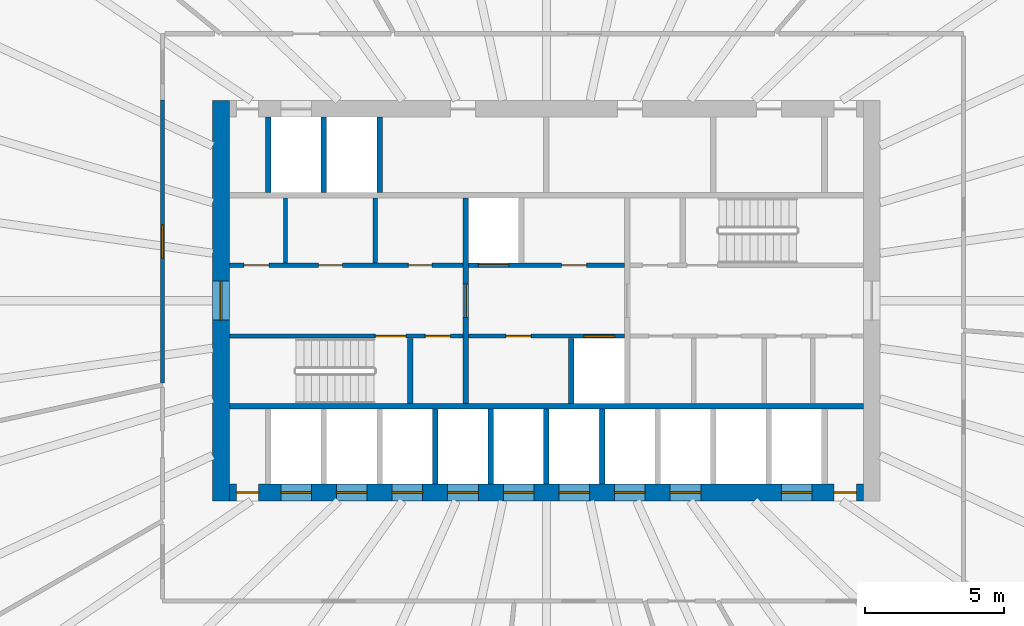
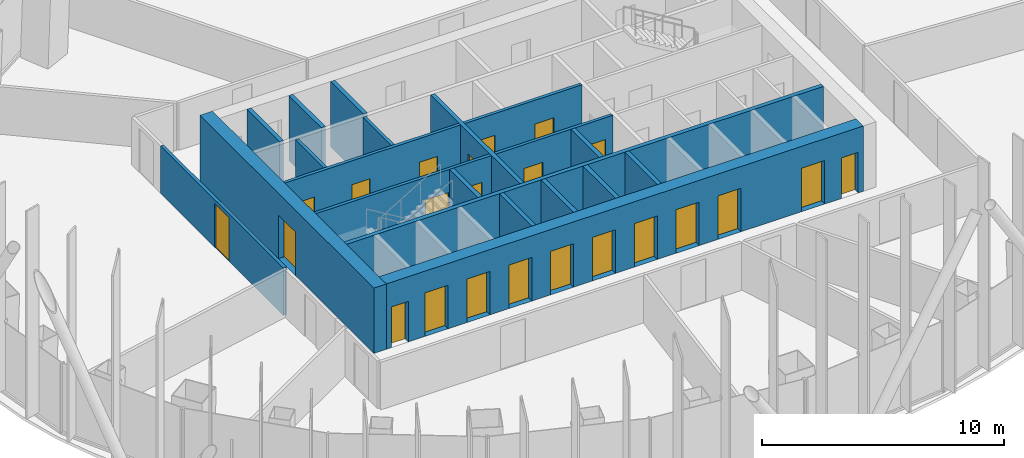
# One storey, part 7 of 21: 23 doors, 20 walls, 23 openings.
"""IFC4 building model written with IfcOpenShell, lengths in metres."""

from ifc_helpers import new_model, si_unit, direction, frame, frame_2d, origin, place, context, subcontext, project, spatial, rectangle, extrude, material, layer, layer_set, type_object, element, fill, save


model = new_model("IFC4")

# Units and contexts
model_context = context("Model", 3, precision=1e-05, world=origin(), true_north=direction((0.0, 1.0)))
body_context = subcontext(model_context, "Body", "Model", "MODEL_VIEW")
ifc_project = project(units=[si_unit("LENGTHUNIT", "METRE"), si_unit("AREAUNIT", "SQUARE_METRE"), si_unit("VOLUMEUNIT", "CUBIC_METRE"), si_unit("PLANEANGLEUNIT", "RADIAN"), si_unit("MASSUNIT", "GRAM", prefix="KILO")], contexts=[model_context])

# Site, building, storey
site_placement = place(None, origin())
site = spatial("IfcSite", under=ifc_project, at=site_placement, CompositionType="ELEMENT")
building_placement = place(site_placement, origin())
building = spatial("IfcBuilding", under=site, at=building_placement, Name="Siaravel Broadcast Tower", CompositionType="ELEMENT")
storey_placement = place(building_placement, frame((0.0, 0.0, 70.39990234375)))
storey = spatial("IfcBuildingStorey", under=building, at=storey_placement, Name="L16", CompositionType="ELEMENT", Elevation=70.39990234375)

# Walls
ifc_material_1 = material(Name="Concrete blockwork", Category="masonry")
ifc_layer_1 = layer(ifc_material_1, 0.14990234375)
ifc_layer_set_1 = layer_set([ifc_layer_1], Name="Concrete blockwork")
wall_type_1 = type_object("IfcWallType", Name="Core partition 150", PredefinedType="PARTITIONING", material=ifc_layer_set_1)
for number, where, z_axis, x_axis, name in (
    (1, (-9.381103515625, 1.35009765625, 0.0), (0.0, 0.0, 1.0), (0.0, 1.0, 0.0), "L16 core partition PNW0"),
    (2, (-6.153076171875, 1.35009765625, 0.0), (0.0, 0.0, 1.0), (0.0, 1.0, 0.0), "L16 core partition PNW1"),
):
    element("IfcWall", number, at=place(storey_placement, frame(where, z_axis=z_axis, x_axis=x_axis)), inside=storey, type_object=wall_type_1, Name=name, PredefinedType="PARTITIONING", context=body_context, shape_type="SweptSolid", body=[
        extrude(rectangle(XDim=2.349853515625, YDim=0.14990234375, at=frame_2d((1.1748046875, 0.0))), origin(), (0.0, 0.0, 1.0), 3.300048828125),
    ])

# Wall, opening, door
ifc_material_2 = material(Name="Concrete C60/75", Category="concrete")
ifc_layer_2 = layer(ifc_material_2, 0.60009765625)
ifc_layer_set_2 = layer_set([ifc_layer_2], Name="Concrete C60/75")
wall_type_2 = type_object("IfcWallType", Name="Core wall 600", PredefinedType="SHEAR", material=ifc_layer_set_2)
wall_1_placement = place(storey_placement, frame((-11.699951171875, -7.199951171875, 0.0), z_axis=(0.0, 0.0, 1.0), x_axis=(0.0, 1.0, 0.0)))
wall_1 = element("IfcWall", 3, at=wall_1_placement, inside=storey, type_object=wall_type_2, Name="L16 core wall OW", PredefinedType="SHEAR", context=body_context, shape_type="SweptSolid", body=[
    extrude(rectangle(XDim=14.39990234375, YDim=0.60009765625, at=frame_2d((7.199951171875, 0.0))), origin(), (0.0, 0.0, 1.0), 3.300048828125),
])
opening_1_placement = place(wall_1_placement, frame((6.5, 0.0, 0.0)))
opening_1 = element("IfcOpeningElement", 4, at=opening_1_placement, cuts=wall_1, Name="Opening L16-DX-W", PredefinedType="OPENING", context=body_context, shape_type="SweptSolid", body=[
    extrude(rectangle(XDim=1.39990234375, YDim=2.199951171875, at=frame_2d((0.699951171875, 1.10009765625))), frame((0.0, 0.31005859375, 0.0), z_axis=(0.0, -1.0, 0.0), x_axis=(1.0, 0.0, 0.0)), (0.0, 0.0, 1.0), 0.6201171875),
])
ifc_material_3 = material(Name="Steel", Category="steel")
door_type_1 = type_object("IfcDoorType", Name="Core exit door 1400", OperationType="DOUBLE_DOOR_SINGLE_SWING", PredefinedType="DOOR", material=ifc_material_3)
door_1_placement = place(opening_1_placement, origin())
door_1 = element("IfcDoor", 5, at=door_1_placement, inside=storey, type_object=door_type_1, Name="L16 door DX-W", OperationType="DOUBLE_DOOR_SINGLE_SWING", OverallHeight=2.199951171875, OverallWidth=1.39990234375, PredefinedType="DOOR", context=body_context, shape_type="SweptSolid", body=[
    extrude(rectangle(XDim=1.39990234375, YDim=2.199951171875, at=frame_2d((0.699951171875, 1.10009765625))), frame((0.0, 0.02490234375, 0.0), z_axis=(0.0, -1.0, 0.0), x_axis=(1.0, 0.0, 0.0)), (0.0, 0.0, 1.0), 0.050048828125),
])
fill(opening_1, door_1)

# Wall, openings, doors
wall_2_placement = place(storey_placement, frame((-11.39990234375, -6.89990234375, 0.0), z_axis=(0.0, 0.0, 1.0), x_axis=(1.0, 0.0, 0.0)))
wall_2 = element("IfcWall", 6, at=wall_2_placement, inside=storey, type_object=wall_type_2, Name="L16 core wall OS", PredefinedType="SHEAR", context=body_context, shape_type="SweptSolid", body=[
    extrude(rectangle(XDim=22.7998046875, YDim=0.60009765625, at=frame_2d((11.39990234375, 0.0))), origin(), (0.0, 0.0, 1.0), 3.300048828125),
])
opening_2_placement = place(wall_2_placement, frame((1.85009765625, 0.0, 0.0)))
opening_2 = element("IfcOpeningElement", 7, at=opening_2_placement, cuts=wall_2, Name="Opening LD-LP1-L16", PredefinedType="OPENING", context=body_context, shape_type="SweptSolid", body=[
    extrude(rectangle(XDim=1.10009765625, YDim=2.199951171875, at=frame_2d((0.550048828125, 1.10009765625))), frame((0.0, 0.31005859375, 0.0), z_axis=(0.0, -1.0, 0.0), x_axis=(1.0, 0.0, 0.0)), (0.0, 0.0, 1.0), 0.6201171875),
])
opening_3_placement = place(wall_2_placement, frame((3.85009765625, 0.0, 0.0)))
opening_3 = element("IfcOpeningElement", 8, at=opening_3_placement, cuts=wall_2, Name="Opening LD-LP2-L16", PredefinedType="OPENING", context=body_context, shape_type="SweptSolid", body=[
    extrude(rectangle(XDim=1.10009765625, YDim=2.199951171875, at=frame_2d((0.550048828125, 1.10009765625))), frame((0.0, 0.31005859375, 0.0), z_axis=(0.0, -1.0, 0.0), x_axis=(1.0, 0.0, 0.0)), (0.0, 0.0, 1.0), 0.6201171875),
])
opening_4_placement = place(wall_2_placement, frame((5.85009765625, 0.0, 0.0)))
opening_4 = element("IfcOpeningElement", 9, at=opening_4_placement, cuts=wall_2, Name="Opening LD-LP3-L16", PredefinedType="OPENING", context=body_context, shape_type="SweptSolid", body=[
    extrude(rectangle(XDim=1.10009765625, YDim=2.199951171875, at=frame_2d((0.550048828125, 1.10009765625))), frame((0.0, 0.31005859375, 0.0), z_axis=(0.0, -1.0, 0.0), x_axis=(1.0, 0.0, 0.0)), (0.0, 0.0, 1.0), 0.6201171875),
])
opening_5_placement = place(wall_2_placement, frame((7.85009765625, 0.0, 0.0)))
opening_5 = element("IfcOpeningElement", 10, at=opening_5_placement, cuts=wall_2, Name="Opening LD-LP4-L16", PredefinedType="OPENING", context=body_context, shape_type="SweptSolid", body=[
    extrude(rectangle(XDim=1.10009765625, YDim=2.199951171875, at=frame_2d((0.550048828125, 1.10009765625))), frame((0.0, 0.31005859375, 0.0), z_axis=(0.0, -1.0, 0.0), x_axis=(1.0, 0.0, 0.0)), (0.0, 0.0, 1.0), 0.6201171875),
])
opening_6_placement = place(wall_2_placement, frame((9.85009765625, 0.0, 0.0)))
opening_6 = element("IfcOpeningElement", 11, at=opening_6_placement, cuts=wall_2, Name="Opening LD-LP5-L16", PredefinedType="OPENING", context=body_context, shape_type="SweptSolid", body=[
    extrude(rectangle(XDim=1.10009765625, YDim=2.199951171875, at=frame_2d((0.550048828125, 1.10009765625))), frame((0.0, 0.31005859375, 0.0), z_axis=(0.0, -1.0, 0.0), x_axis=(1.0, 0.0, 0.0)), (0.0, 0.0, 1.0), 0.6201171875),
])
opening_7_placement = place(wall_2_placement, frame((11.85009765625, 0.0, 0.0)))
opening_7 = element("IfcOpeningElement", 12, at=opening_7_placement, cuts=wall_2, Name="Opening LD-LP6-L16", PredefinedType="OPENING", context=body_context, shape_type="SweptSolid", body=[
    extrude(rectangle(XDim=1.10009765625, YDim=2.199951171875, at=frame_2d((0.550048828125, 1.10009765625))), frame((0.0, 0.31005859375, 0.0), z_axis=(0.0, -1.0, 0.0), x_axis=(1.0, 0.0, 0.0)), (0.0, 0.0, 1.0), 0.6201171875),
])
opening_8_placement = place(wall_2_placement, frame((13.85009765625, 0.0, 0.0)))
opening_8 = element("IfcOpeningElement", 13, at=opening_8_placement, cuts=wall_2, Name="Opening LD-LP7-L16", PredefinedType="OPENING", context=body_context, shape_type="SweptSolid", body=[
    extrude(rectangle(XDim=1.10009765625, YDim=2.199951171875, at=frame_2d((0.550048828125, 1.10009765625))), frame((0.0, 0.31005859375, 0.0), z_axis=(0.0, -1.0, 0.0), x_axis=(1.0, 0.0, 0.0)), (0.0, 0.0, 1.0), 0.6201171875),
])
opening_9_placement = place(wall_2_placement, frame((15.85009765625, 0.0, 0.0)))
opening_9 = element("IfcOpeningElement", 14, at=opening_9_placement, cuts=wall_2, Name="Opening LD-LP8-L16", PredefinedType="OPENING", context=body_context, shape_type="SweptSolid", body=[
    extrude(rectangle(XDim=1.10009765625, YDim=2.199951171875, at=frame_2d((0.550048828125, 1.10009765625))), frame((0.0, 0.31005859375, 0.0), z_axis=(0.0, -1.0, 0.0), x_axis=(1.0, 0.0, 0.0)), (0.0, 0.0, 1.0), 0.6201171875),
])
opening_10_placement = place(wall_2_placement, frame((19.85009765625, 0.0, 0.0)))
opening_10 = element("IfcOpeningElement", 15, at=opening_10_placement, cuts=wall_2, Name="Opening LD-SV1-L16", PredefinedType="OPENING", context=body_context, shape_type="SweptSolid", body=[
    extrude(rectangle(XDim=1.10009765625, YDim=2.199951171875, at=frame_2d((0.550048828125, 1.10009765625))), frame((0.0, 0.31005859375, 0.0), z_axis=(0.0, -1.0, 0.0), x_axis=(1.0, 0.0, 0.0)), (0.0, 0.0, 1.0), 0.6201171875),
])
opening_11_placement = place(wall_2_placement, frame((0.25, 0.0, 0.0)))
opening_11 = element("IfcOpeningElement", 16, at=opening_11_placement, cuts=wall_2, Name="Opening L16-DRSW", PredefinedType="OPENING", context=body_context, shape_type="SweptSolid", body=[
    extrude(rectangle(XDim=0.800048828125, YDim=2.050048828125, at=frame_2d((0.39990234375, 1.02490234375))), frame((0.0, 0.31005859375, 0.0), z_axis=(0.0, -1.0, 0.0), x_axis=(1.0, 0.0, 0.0)), (0.0, 0.0, 1.0), 0.6201171875),
])
opening_12_placement = place(wall_2_placement, frame((21.75, 0.0, 0.0)))
opening_12 = element("IfcOpeningElement", 17, at=opening_12_placement, cuts=wall_2, Name="Opening L16-DRSE", PredefinedType="OPENING", context=body_context, shape_type="SweptSolid", body=[
    extrude(rectangle(XDim=0.800048828125, YDim=2.050048828125, at=frame_2d((0.39990234375, 1.02490234375))), frame((0.0, 0.31005859375, 0.0), z_axis=(0.0, -1.0, 0.0), x_axis=(1.0, 0.0, 0.0)), (0.0, 0.0, 1.0), 0.6201171875),
])
ifc_material_4 = material(Name="Stainless steel 316L", Category="steel")
door_type_2 = type_object("IfcDoorType", Name="Lift landing door 1100", OperationType="DOUBLE_DOOR_SLIDING", PredefinedType="DOOR", material=ifc_material_4)
door_2_placement = place(opening_2_placement, origin())
door_2 = element("IfcDoor", 18, at=door_2_placement, inside=storey, type_object=door_type_2, Name="Landing door LP1 L16", OperationType="DOUBLE_DOOR_SLIDING", OverallHeight=2.199951171875, OverallWidth=1.10009765625, PredefinedType="DOOR", context=body_context, shape_type="SweptSolid", body=[
    extrude(rectangle(XDim=1.10009765625, YDim=2.199951171875, at=frame_2d((0.550048828125, 1.10009765625))), frame((0.0, 0.02490234375, 0.0), z_axis=(0.0, -1.0, 0.0), x_axis=(1.0, 0.0, 0.0)), (0.0, 0.0, 1.0), 0.050048828125),
])
fill(opening_2, door_2)
door_3_placement = place(opening_3_placement, origin())
door_3 = element("IfcDoor", 19, at=door_3_placement, inside=storey, type_object=door_type_2, Name="Landing door LP2 L16", OperationType="DOUBLE_DOOR_SLIDING", OverallHeight=2.199951171875, OverallWidth=1.10009765625, PredefinedType="DOOR", context=body_context, shape_type="SweptSolid", body=[
    extrude(rectangle(XDim=1.10009765625, YDim=2.199951171875, at=frame_2d((0.550048828125, 1.10009765625))), frame((0.0, 0.02490234375, 0.0), z_axis=(0.0, -1.0, 0.0), x_axis=(1.0, 0.0, 0.0)), (0.0, 0.0, 1.0), 0.050048828125),
])
fill(opening_3, door_3)
door_4_placement = place(opening_4_placement, origin())
door_4 = element("IfcDoor", 20, at=door_4_placement, inside=storey, type_object=door_type_2, Name="Landing door LP3 L16", OperationType="DOUBLE_DOOR_SLIDING", OverallHeight=2.199951171875, OverallWidth=1.10009765625, PredefinedType="DOOR", context=body_context, shape_type="SweptSolid", body=[
    extrude(rectangle(XDim=1.10009765625, YDim=2.199951171875, at=frame_2d((0.550048828125, 1.10009765625))), frame((0.0, 0.02490234375, 0.0), z_axis=(0.0, -1.0, 0.0), x_axis=(1.0, 0.0, 0.0)), (0.0, 0.0, 1.0), 0.050048828125),
])
fill(opening_4, door_4)
door_5_placement = place(opening_5_placement, origin())
door_5 = element("IfcDoor", 21, at=door_5_placement, inside=storey, type_object=door_type_2, Name="Landing door LP4 L16", OperationType="DOUBLE_DOOR_SLIDING", OverallHeight=2.199951171875, OverallWidth=1.10009765625, PredefinedType="DOOR", context=body_context, shape_type="SweptSolid", body=[
    extrude(rectangle(XDim=1.10009765625, YDim=2.199951171875, at=frame_2d((0.550048828125, 1.10009765625))), frame((0.0, 0.02490234375, 0.0), z_axis=(0.0, -1.0, 0.0), x_axis=(1.0, 0.0, 0.0)), (0.0, 0.0, 1.0), 0.050048828125),
])
fill(opening_5, door_5)
door_6_placement = place(opening_6_placement, origin())
door_6 = element("IfcDoor", 22, at=door_6_placement, inside=storey, type_object=door_type_2, Name="Landing door LP5 L16", OperationType="DOUBLE_DOOR_SLIDING", OverallHeight=2.199951171875, OverallWidth=1.10009765625, PredefinedType="DOOR", context=body_context, shape_type="SweptSolid", body=[
    extrude(rectangle(XDim=1.10009765625, YDim=2.199951171875, at=frame_2d((0.550048828125, 1.10009765625))), frame((0.0, 0.02490234375, 0.0), z_axis=(0.0, -1.0, 0.0), x_axis=(1.0, 0.0, 0.0)), (0.0, 0.0, 1.0), 0.050048828125),
])
fill(opening_6, door_6)
door_7_placement = place(opening_7_placement, origin())
door_7 = element("IfcDoor", 23, at=door_7_placement, inside=storey, type_object=door_type_2, Name="Landing door LP6 L16", OperationType="DOUBLE_DOOR_SLIDING", OverallHeight=2.199951171875, OverallWidth=1.10009765625, PredefinedType="DOOR", context=body_context, shape_type="SweptSolid", body=[
    extrude(rectangle(XDim=1.10009765625, YDim=2.199951171875, at=frame_2d((0.550048828125, 1.10009765625))), frame((0.0, 0.02490234375, 0.0), z_axis=(0.0, -1.0, 0.0), x_axis=(1.0, 0.0, 0.0)), (0.0, 0.0, 1.0), 0.050048828125),
])
fill(opening_7, door_7)
door_8_placement = place(opening_8_placement, origin())
door_8 = element("IfcDoor", 24, at=door_8_placement, inside=storey, type_object=door_type_2, Name="Landing door LP7 L16", OperationType="DOUBLE_DOOR_SLIDING", OverallHeight=2.199951171875, OverallWidth=1.10009765625, PredefinedType="DOOR", context=body_context, shape_type="SweptSolid", body=[
    extrude(rectangle(XDim=1.10009765625, YDim=2.199951171875, at=frame_2d((0.550048828125, 1.10009765625))), frame((0.0, 0.02490234375, 0.0), z_axis=(0.0, -1.0, 0.0), x_axis=(1.0, 0.0, 0.0)), (0.0, 0.0, 1.0), 0.050048828125),
])
fill(opening_8, door_8)
door_9_placement = place(opening_9_placement, origin())
door_9 = element("IfcDoor", 25, at=door_9_placement, inside=storey, type_object=door_type_2, Name="Landing door LP8 L16", OperationType="DOUBLE_DOOR_SLIDING", OverallHeight=2.199951171875, OverallWidth=1.10009765625, PredefinedType="DOOR", context=body_context, shape_type="SweptSolid", body=[
    extrude(rectangle(XDim=1.10009765625, YDim=2.199951171875, at=frame_2d((0.550048828125, 1.10009765625))), frame((0.0, 0.02490234375, 0.0), z_axis=(0.0, -1.0, 0.0), x_axis=(1.0, 0.0, 0.0)), (0.0, 0.0, 1.0), 0.050048828125),
])
fill(opening_9, door_9)
door_type_3 = type_object("IfcDoorType", Name="Riser door 800", OperationType="SINGLE_SWING_LEFT", PredefinedType="DOOR", material=ifc_material_3)
door_10_placement = place(opening_11_placement, origin())
door_10 = element("IfcDoor", 26, at=door_10_placement, inside=storey, type_object=door_type_3, Name="L16 door DRSW", OperationType="SINGLE_SWING_LEFT", OverallHeight=2.050048828125, OverallWidth=0.800048828125, PredefinedType="DOOR", context=body_context, shape_type="SweptSolid", body=[
    extrude(rectangle(XDim=0.800048828125, YDim=2.050048828125, at=frame_2d((0.39990234375, 1.02490234375))), frame((0.0, 0.02490234375, 0.0), z_axis=(0.0, -1.0, 0.0), x_axis=(1.0, 0.0, 0.0)), (0.0, 0.0, 1.0), 0.050048828125),
])
fill(opening_11, door_10)
door_11_placement = place(opening_12_placement, origin())
door_11 = element("IfcDoor", 27, at=door_11_placement, inside=storey, type_object=door_type_3, Name="L16 door DRSE", OperationType="SINGLE_SWING_LEFT", OverallHeight=2.050048828125, OverallWidth=0.800048828125, PredefinedType="DOOR", context=body_context, shape_type="SweptSolid", body=[
    extrude(rectangle(XDim=0.800048828125, YDim=2.050048828125, at=frame_2d((0.39990234375, 1.02490234375))), frame((0.0, 0.02490234375, 0.0), z_axis=(0.0, -1.0, 0.0), x_axis=(1.0, 0.0, 0.0)), (0.0, 0.0, 1.0), 0.050048828125),
])
fill(opening_12, door_11)
door_type_4 = type_object("IfcDoorType", Name="Service lift landing door 1100", OperationType="DOUBLE_DOOR_SLIDING", PredefinedType="DOOR", material=ifc_material_4)
door_12_placement = place(opening_10_placement, origin())
door_12 = element("IfcDoor", 28, at=door_12_placement, inside=storey, type_object=door_type_4, Name="Landing door SV1 L16", OperationType="DOUBLE_DOOR_SLIDING", OverallHeight=2.199951171875, OverallWidth=1.10009765625, PredefinedType="DOOR", context=body_context, shape_type="SweptSolid", body=[
    extrude(rectangle(XDim=1.10009765625, YDim=2.199951171875, at=frame_2d((0.550048828125, 1.10009765625))), frame((0.0, 0.02490234375, 0.0), z_axis=(0.0, -1.0, 0.0), x_axis=(1.0, 0.0, 0.0)), (0.0, 0.0, 1.0), 0.050048828125),
])
fill(opening_10, door_12)

ifc_material_5 = material(Name="Gypsum board partition", Category="gypsum")
ifc_layer_3 = layer(ifc_material_5, 0.14990234375)
ifc_layer_set_3 = layer_set([ifc_layer_3], Name="Gypsum board partition")
wall_type_3 = type_object("IfcWallType", Name="Corridor wall 150", PredefinedType="PARTITIONING", material=ifc_layer_set_3)
wall_3_placement = place(storey_placement, frame((-11.39990234375, 1.27490234375, 0.0), z_axis=(0.0, 0.0, 1.0), x_axis=(1.0, 0.0, 0.0)))
wall_3 = element("IfcWall", 29, at=wall_3_placement, inside=storey, type_object=wall_type_3, Name="L16 core partition CNW", PredefinedType="PARTITIONING", context=body_context, shape_type="SweptSolid", body=[
    extrude(rectangle(XDim=8.39990234375, YDim=0.14990234375, at=frame_2d((4.199951171875, 0.0))), origin(), (0.0, 0.0, 1.0), 3.300048828125),
])
opening_13_placement = place(wall_3_placement, frame((0.52197265625, 0.0, 0.0)))
opening_13 = element("IfcOpeningElement", 30, at=opening_13_placement, cuts=wall_3, Name="Opening L16-DNW0", PredefinedType="OPENING", context=body_context, shape_type="SweptSolid", body=[
    extrude(rectangle(XDim=0.89990234375, YDim=2.10009765625, at=frame_2d((0.449951171875, 1.050048828125))), frame((0.0, 0.0849609375, 0.0), z_axis=(0.0, -1.0, 0.0), x_axis=(1.0, 0.0, 0.0)), (0.0, 0.0, 1.0), 0.169921875),
])
opening_14_placement = place(wall_3_placement, frame((3.2080078125, 0.0, 0.0)))
opening_14 = element("IfcOpeningElement", 31, at=opening_14_placement, cuts=wall_3, Name="Opening L16-DNW1", PredefinedType="OPENING", context=body_context, shape_type="SweptSolid", body=[
    extrude(rectangle(XDim=0.85009765625, YDim=2.10009765625, at=frame_2d((0.425048828125, 1.050048828125))), frame((0.0, 0.0849609375, 0.0), z_axis=(0.0, -1.0, 0.0), x_axis=(1.0, 0.0, 0.0)), (0.0, 0.0, 1.0), 0.169921875),
])
opening_15_placement = place(wall_3_placement, frame((6.43603515625, 0.0, 0.0)))
opening_15 = element("IfcOpeningElement", 32, at=opening_15_placement, cuts=wall_3, Name="Opening L16-DNW2", PredefinedType="OPENING", context=body_context, shape_type="SweptSolid", body=[
    extrude(rectangle(XDim=0.85009765625, YDim=2.10009765625, at=frame_2d((0.425048828125, 1.050048828125))), frame((0.0, 0.0849609375, 0.0), z_axis=(0.0, -1.0, 0.0), x_axis=(1.0, 0.0, 0.0)), (0.0, 0.0, 1.0), 0.169921875),
])
ifc_material_6 = material(Name="Timber veneer", Category="wood")
door_type_5 = type_object("IfcDoorType", Name="Core room door 900", OperationType="SINGLE_SWING_LEFT", PredefinedType="DOOR", material=ifc_material_6)
door_13_placement = place(opening_13_placement, origin())
door_13 = element("IfcDoor", 33, at=door_13_placement, inside=storey, type_object=door_type_5, Name="L16 door DNW0", OperationType="SINGLE_SWING_LEFT", OverallHeight=2.10009765625, OverallWidth=0.89990234375, PredefinedType="DOOR", context=body_context, shape_type="SweptSolid", body=[
    extrude(rectangle(XDim=0.89990234375, YDim=2.10009765625, at=frame_2d((0.449951171875, 1.050048828125))), frame((0.0, 0.02490234375, 0.0), z_axis=(0.0, -1.0, 0.0), x_axis=(1.0, 0.0, 0.0)), (0.0, 0.0, 1.0), 0.050048828125),
])
fill(opening_13, door_13)
door_type_6 = type_object("IfcDoorType", Name="Core toilet door 850", OperationType="SINGLE_SWING_LEFT", PredefinedType="DOOR", material=ifc_material_6)
door_14_placement = place(opening_14_placement, origin())
door_14 = element("IfcDoor", 34, at=door_14_placement, inside=storey, type_object=door_type_6, Name="L16 door DNW1", OperationType="SINGLE_SWING_LEFT", OverallHeight=2.10009765625, OverallWidth=0.85009765625, PredefinedType="DOOR", context=body_context, shape_type="SweptSolid", body=[
    extrude(rectangle(XDim=0.85009765625, YDim=2.10009765625, at=frame_2d((0.425048828125, 1.050048828125))), frame((0.0, 0.02490234375, 0.0), z_axis=(0.0, -1.0, 0.0), x_axis=(1.0, 0.0, 0.0)), (0.0, 0.0, 1.0), 0.050048828125),
])
fill(opening_14, door_14)
door_15_placement = place(opening_15_placement, origin())
door_15 = element("IfcDoor", 35, at=door_15_placement, inside=storey, type_object=door_type_6, Name="L16 door DNW2", OperationType="SINGLE_SWING_LEFT", OverallHeight=2.10009765625, OverallWidth=0.85009765625, PredefinedType="DOOR", context=body_context, shape_type="SweptSolid", body=[
    extrude(rectangle(XDim=0.85009765625, YDim=2.10009765625, at=frame_2d((0.425048828125, 1.050048828125))), frame((0.0, 0.02490234375, 0.0), z_axis=(0.0, -1.0, 0.0), x_axis=(1.0, 0.0, 0.0)), (0.0, 0.0, 1.0), 0.050048828125),
])
fill(opening_15, door_15)

# Wall, opening, door
wall_4_placement = place(storey_placement, frame((-13.800048828125, 7.2119140625, 0.0), z_axis=(0.0, 0.0, 1.0), x_axis=(0.0, -1.0, 0.0)))
wall_4 = element("IfcWall", 36, at=wall_4_placement, inside=storey, type_object=wall_type_3, Name="L16 partition 10", PredefinedType="PARTITIONING", context=body_context, shape_type="SweptSolid", body=[
    extrude(rectangle(XDim=10.16552734375, YDim=0.14990234375, at=frame_2d((5.082763671875, 0.0))), origin(), (0.0, 0.0, 1.0), 2.400146484375),
])
opening_16_placement = place(wall_4_placement, frame((4.48291015625, 0.0, 0.0)))
opening_16 = element("IfcOpeningElement", 37, at=opening_16_placement, cuts=wall_4, Name="Opening L16-007", PredefinedType="OPENING", context=body_context, shape_type="SweptSolid", body=[
    extrude(rectangle(XDim=1.199951171875, YDim=2.199951171875, at=frame_2d((0.60009765625, 1.10009765625))), frame((0.0, 0.0849609375, 0.0), z_axis=(0.0, -1.0, 0.0), x_axis=(1.0, 0.0, 0.0)), (0.0, 0.0, 1.0), 0.169921875),
])
door_type_7 = type_object("IfcDoorType", Name="Office double door 1200", OperationType="DOUBLE_DOOR_SINGLE_SWING", PredefinedType="DOOR", material=ifc_material_6)
door_16_placement = place(opening_16_placement, origin())
door_16 = element("IfcDoor", 38, at=door_16_placement, inside=storey, type_object=door_type_7, Name="L16 door to Open plan newsroom", OperationType="DOUBLE_DOOR_SINGLE_SWING", OverallHeight=2.199951171875, OverallWidth=1.199951171875, PredefinedType="DOOR", context=body_context, shape_type="SweptSolid", body=[
    extrude(rectangle(XDim=1.199951171875, YDim=2.199951171875, at=frame_2d((0.60009765625, 1.10009765625))), frame((0.0, 0.02490234375, 0.0), z_axis=(0.0, -1.0, 0.0), x_axis=(1.0, 0.0, 0.0)), (0.0, 0.0, 1.0), 0.050048828125),
])
fill(opening_16, door_16)

# Wall, openings, doors
ifc_layer_4 = layer(ifc_material_2, 0.14990234375)
ifc_layer_set_4 = layer_set([ifc_layer_4], Name="Concrete C60/75")
wall_type_4 = type_object("IfcWallType", Name="Shaft wall 150", PredefinedType="SHEAR", material=ifc_layer_set_4)
wall_5_placement = place(storey_placement, frame((-11.39990234375, -1.27490234375, 0.0), z_axis=(0.0, 0.0, 1.0), x_axis=(1.0, 0.0, 0.0)))
wall_5 = element("IfcWall", 39, at=wall_5_placement, inside=storey, type_object=wall_type_4, Name="L16 core wall CSW", PredefinedType="SHEAR", context=body_context, shape_type="SweptSolid", body=[
    extrude(rectangle(XDim=8.39990234375, YDim=0.14990234375, at=frame_2d((4.199951171875, 0.0))), origin(), (0.0, 0.0, 1.0), 3.300048828125),
])
opening_17_placement = place(wall_5_placement, frame((5.25, 0.0, 0.0)))
opening_17 = element("IfcOpeningElement", 40, at=opening_17_placement, cuts=wall_5, Name="Opening L16-DS-1", PredefinedType="OPENING", context=body_context, shape_type="SweptSolid", body=[
    extrude(rectangle(XDim=1.10009765625, YDim=2.14990234375, at=frame_2d((0.550048828125, 1.074951171875))), frame((0.0, 0.0849609375, 0.0), z_axis=(0.0, -1.0, 0.0), x_axis=(1.0, 0.0, 0.0)), (0.0, 0.0, 1.0), 0.169921875),
])
opening_18_placement = place(wall_5_placement, frame((7.050048828125, 0.0, 0.0)))
opening_18 = element("IfcOpeningElement", 41, at=opening_18_placement, cuts=wall_5, Name="Opening L16-DSW0", PredefinedType="OPENING", context=body_context, shape_type="SweptSolid", body=[
    extrude(rectangle(XDim=0.89990234375, YDim=2.10009765625, at=frame_2d((0.449951171875, 1.050048828125))), frame((0.0, 0.0849609375, 0.0), z_axis=(0.0, -1.0, 0.0), x_axis=(1.0, 0.0, 0.0)), (0.0, 0.0, 1.0), 0.169921875),
])
door_17_placement = place(opening_18_placement, origin())
door_17 = element("IfcDoor", 42, at=door_17_placement, inside=storey, type_object=door_type_5, Name="L16 door DSW0", OperationType="SINGLE_SWING_LEFT", OverallHeight=2.10009765625, OverallWidth=0.89990234375, PredefinedType="DOOR", context=body_context, shape_type="SweptSolid", body=[
    extrude(rectangle(XDim=0.89990234375, YDim=2.10009765625, at=frame_2d((0.449951171875, 1.050048828125))), frame((0.0, 0.02490234375, 0.0), z_axis=(0.0, -1.0, 0.0), x_axis=(1.0, 0.0, 0.0)), (0.0, 0.0, 1.0), 0.050048828125),
])
fill(opening_18, door_17)
door_type_8 = type_object("IfcDoorType", Name="Stair door 1100", OperationType="SINGLE_SWING_LEFT", PredefinedType="DOOR", material=ifc_material_3)
door_18_placement = place(opening_17_placement, origin())
door_18 = element("IfcDoor", 43, at=door_18_placement, inside=storey, type_object=door_type_8, Name="L16 door DS-1", OperationType="SINGLE_SWING_LEFT", OverallHeight=2.14990234375, OverallWidth=1.10009765625, PredefinedType="DOOR", context=body_context, shape_type="SweptSolid", body=[
    extrude(rectangle(XDim=1.10009765625, YDim=2.14990234375, at=frame_2d((0.550048828125, 1.074951171875))), frame((0.0, 0.02490234375, 0.0), z_axis=(0.0, -1.0, 0.0), x_axis=(1.0, 0.0, 0.0)), (0.0, 0.0, 1.0), 0.050048828125),
])
fill(opening_17, door_18)

wall_6_placement = place(storey_placement, frame((-2.800048828125, -1.27490234375, 0.0), z_axis=(0.0, 0.0, 1.0), x_axis=(1.0, 0.0, 0.0)))
wall_6 = element("IfcWall", 44, at=wall_6_placement, inside=storey, type_object=wall_type_4, Name="L16 core wall CSM", PredefinedType="SHEAR", context=body_context, shape_type="SweptSolid", body=[
    extrude(rectangle(XDim=5.60009765625, YDim=0.14990234375, at=frame_2d((2.800048828125, 0.0))), origin(), (0.0, 0.0, 1.0), 3.300048828125),
])
opening_19_placement = place(wall_6_placement, frame((4.14990234375, 0.0, 0.0)))
opening_19 = element("IfcOpeningElement", 45, at=opening_19_placement, cuts=wall_6, Name="Opening LD-FL2-L16", PredefinedType="OPENING", context=body_context, shape_type="SweptSolid", body=[
    extrude(rectangle(XDim=1.10009765625, YDim=2.199951171875, at=frame_2d((0.550048828125, 1.10009765625))), frame((0.0, 0.0849609375, 0.0), z_axis=(0.0, -1.0, 0.0), x_axis=(1.0, 0.0, 0.0)), (0.0, 0.0, 1.0), 0.169921875),
])
opening_20_placement = place(wall_6_placement, frame((1.35009765625, 0.0, 0.0)))
opening_20 = element("IfcOpeningElement", 46, at=opening_20_placement, cuts=wall_6, Name="Opening L16-DSM0", PredefinedType="OPENING", context=body_context, shape_type="SweptSolid", body=[
    extrude(rectangle(XDim=0.89990234375, YDim=2.10009765625, at=frame_2d((0.449951171875, 1.050048828125))), frame((0.0, 0.0849609375, 0.0), z_axis=(0.0, -1.0, 0.0), x_axis=(1.0, 0.0, 0.0)), (0.0, 0.0, 1.0), 0.169921875),
])
door_19_placement = place(opening_20_placement, origin())
door_19 = element("IfcDoor", 47, at=door_19_placement, inside=storey, type_object=door_type_5, Name="L16 door DSM0", OperationType="SINGLE_SWING_LEFT", OverallHeight=2.10009765625, OverallWidth=0.89990234375, PredefinedType="DOOR", context=body_context, shape_type="SweptSolid", body=[
    extrude(rectangle(XDim=0.89990234375, YDim=2.10009765625, at=frame_2d((0.449951171875, 1.050048828125))), frame((0.0, 0.02490234375, 0.0), z_axis=(0.0, -1.0, 0.0), x_axis=(1.0, 0.0, 0.0)), (0.0, 0.0, 1.0), 0.050048828125),
])
fill(opening_20, door_19)
door_type_9 = type_object("IfcDoorType", Name="Firefighting lift landing door 1100", OperationType="DOUBLE_DOOR_SLIDING", PredefinedType="DOOR", material=ifc_material_4)
door_20_placement = place(opening_19_placement, origin())
door_20 = element("IfcDoor", 48, at=door_20_placement, inside=storey, type_object=door_type_9, Name="Landing door FL2 L16", OperationType="DOUBLE_DOOR_SLIDING", OverallHeight=2.199951171875, OverallWidth=1.10009765625, PredefinedType="DOOR", context=body_context, shape_type="SweptSolid", body=[
    extrude(rectangle(XDim=1.10009765625, YDim=2.199951171875, at=frame_2d((0.550048828125, 1.10009765625))), frame((0.0, 0.02490234375, 0.0), z_axis=(0.0, -1.0, 0.0), x_axis=(1.0, 0.0, 0.0)), (0.0, 0.0, 1.0), 0.050048828125),
])
fill(opening_19, door_20)

wall_7_placement = place(storey_placement, frame((-2.800048828125, 1.27490234375, 0.0), z_axis=(0.0, 0.0, 1.0), x_axis=(1.0, 0.0, 0.0)))
wall_7 = element("IfcWall", 49, at=wall_7_placement, inside=storey, type_object=wall_type_4, Name="L16 core wall CNM", PredefinedType="SHEAR", context=body_context, shape_type="SweptSolid", body=[
    extrude(rectangle(XDim=5.60009765625, YDim=0.14990234375, at=frame_2d((2.800048828125, 0.0))), origin(), (0.0, 0.0, 1.0), 3.300048828125),
])
opening_21_placement = place(wall_7_placement, frame((0.35009765625, 0.0, 0.0)))
opening_21 = element("IfcOpeningElement", 50, at=opening_21_placement, cuts=wall_7, Name="Opening LD-FL1-L16", PredefinedType="OPENING", context=body_context, shape_type="SweptSolid", body=[
    extrude(rectangle(XDim=1.10009765625, YDim=2.199951171875, at=frame_2d((0.550048828125, 1.10009765625))), frame((0.0, 0.0849609375, 0.0), z_axis=(0.0, -1.0, 0.0), x_axis=(1.0, 0.0, 0.0)), (0.0, 0.0, 1.0), 0.169921875),
])
opening_22_placement = place(wall_7_placement, frame((3.35009765625, 0.0, 0.0)))
opening_22 = element("IfcOpeningElement", 51, at=opening_22_placement, cuts=wall_7, Name="Opening L16-DNM0", PredefinedType="OPENING", context=body_context, shape_type="SweptSolid", body=[
    extrude(rectangle(XDim=0.89990234375, YDim=2.10009765625, at=frame_2d((0.449951171875, 1.050048828125))), frame((0.0, 0.0849609375, 0.0), z_axis=(0.0, -1.0, 0.0), x_axis=(1.0, 0.0, 0.0)), (0.0, 0.0, 1.0), 0.169921875),
])
door_21_placement = place(opening_22_placement, origin())
door_21 = element("IfcDoor", 52, at=door_21_placement, inside=storey, type_object=door_type_5, Name="L16 door DNM0", OperationType="SINGLE_SWING_LEFT", OverallHeight=2.10009765625, OverallWidth=0.89990234375, PredefinedType="DOOR", context=body_context, shape_type="SweptSolid", body=[
    extrude(rectangle(XDim=0.89990234375, YDim=2.10009765625, at=frame_2d((0.449951171875, 1.050048828125))), frame((0.0, 0.02490234375, 0.0), z_axis=(0.0, -1.0, 0.0), x_axis=(1.0, 0.0, 0.0)), (0.0, 0.0, 1.0), 0.050048828125),
])
fill(opening_22, door_21)
door_22_placement = place(opening_21_placement, origin())
door_22 = element("IfcDoor", 53, at=door_22_placement, inside=storey, type_object=door_type_9, Name="Landing door FL1 L16", OperationType="DOUBLE_DOOR_SLIDING", OverallHeight=2.199951171875, OverallWidth=1.10009765625, PredefinedType="DOOR", context=body_context, shape_type="SweptSolid", body=[
    extrude(rectangle(XDim=1.10009765625, YDim=2.199951171875, at=frame_2d((0.550048828125, 1.10009765625))), frame((0.0, 0.02490234375, 0.0), z_axis=(0.0, -1.0, 0.0), x_axis=(1.0, 0.0, 0.0)), (0.0, 0.0, 1.0), 0.050048828125),
])
fill(opening_21, door_22)

# Walls
ifc_layer_5 = layer(ifc_material_2, 0.199951171875)
ifc_layer_set_5 = layer_set([ifc_layer_5], Name="Concrete C60/75")
wall_type_5 = type_object("IfcWallType", Name="Shaft wall 200", PredefinedType="SHEAR", material=ifc_layer_set_5)
wall_8_placement = place(storey_placement, frame((-11.39990234375, -3.800048828125, 0.0), z_axis=(0.0, 0.0, 1.0), x_axis=(1.0, 0.0, 0.0)))
element("IfcWall", 54, at=wall_8_placement, inside=storey, type_object=wall_type_5, Name="L16 core wall BS", PredefinedType="SHEAR", context=body_context, shape_type="SweptSolid", body=[
    extrude(rectangle(XDim=22.7998046875, YDim=0.199951171875, at=frame_2d((11.39990234375, 0.0))), origin(), (0.0, 0.0, 1.0), 3.300048828125),
])
for number, where, z_axis, x_axis, name in (
    (55, (-4.0, -6.60009765625, 0.0), (0.0, 0.0, 1.0), (0.0, 1.0, 0.0), "L16 core wall SWS3"),
    (56, (-2.0, -6.60009765625, 0.0), (0.0, 0.0, 1.0), (0.0, 1.0, 0.0), "L16 core wall SWS4"),
    (57, (0.0, -6.60009765625, 0.0), (0.0, 0.0, 1.0), (0.0, 1.0, 0.0), "L16 core wall SWS5"),
    (58, (2.0, -6.60009765625, 0.0), (0.0, 0.0, 1.0), (0.0, 1.0, 0.0), "L16 core wall SWS6"),
    (59, (-10.0, 3.89990234375, 0.0), (0.0, 0.0, 1.0), (0.0, 1.0, 0.0), "L16 core wall SWN0"),
    (60, (-8.0, 3.89990234375, 0.0), (0.0, 0.0, 1.0), (0.0, 1.0, 0.0), "L16 core wall SWN1"),
    (61, (-6.0, 3.89990234375, 0.0), (0.0, 0.0, 1.0), (0.0, 1.0, 0.0), "L16 core wall SWN2"),
):
    element("IfcWall", number, at=place(storey_placement, frame(where, z_axis=z_axis, x_axis=x_axis)), inside=storey, type_object=wall_type_5, Name=name, PredefinedType="SHEAR", context=body_context, shape_type="SweptSolid", body=[
        extrude(rectangle(XDim=2.7001953125, YDim=0.199951171875, at=frame_2d((1.35009765625, 0.0))), origin(), (0.0, 0.0, 1.0), 3.300048828125),
    ])

# Wall, opening, door
wall_9_placement = place(storey_placement, frame((-2.89990234375, -3.699951171875, 0.0), z_axis=(0.0, 0.0, 1.0), x_axis=(0.0, 1.0, 0.0)))
wall_9 = element("IfcWall", 62, at=wall_9_placement, inside=storey, type_object=wall_type_5, Name="L16 core wall LW", PredefinedType="SHEAR", context=body_context, shape_type="SweptSolid", body=[
    extrude(rectangle(XDim=7.39990234375, YDim=0.199951171875, at=frame_2d((3.699951171875, 0.0))), origin(), (0.0, 0.0, 1.0), 3.300048828125),
])
opening_23_placement = place(wall_9_placement, frame((3.10009765625, 0.0, 0.0)))
opening_23 = element("IfcOpeningElement", 63, at=opening_23_placement, cuts=wall_9, Name="Opening L16-DL-W", PredefinedType="OPENING", context=body_context, shape_type="SweptSolid", body=[
    extrude(rectangle(XDim=1.199951171875, YDim=2.199951171875, at=frame_2d((0.60009765625, 1.10009765625))), frame((0.0, 0.10986328125, 0.0), z_axis=(0.0, -1.0, 0.0), x_axis=(1.0, 0.0, 0.0)), (0.0, 0.0, 1.0), 0.219970703125),
])
door_type_10 = type_object("IfcDoorType", Name="Firefighting lobby door 1200", OperationType="SINGLE_SWING_LEFT", PredefinedType="DOOR", material=ifc_material_3)
door_23_placement = place(opening_23_placement, origin())
door_23 = element("IfcDoor", 64, at=door_23_placement, inside=storey, type_object=door_type_10, Name="L16 door DL-W", OperationType="SINGLE_SWING_LEFT", OverallHeight=2.199951171875, OverallWidth=1.199951171875, PredefinedType="DOOR", context=body_context, shape_type="SweptSolid", body=[
    extrude(rectangle(XDim=1.199951171875, YDim=2.199951171875, at=frame_2d((0.60009765625, 1.10009765625))), frame((0.0, 0.02490234375, 0.0), z_axis=(0.0, -1.0, 0.0), x_axis=(1.0, 0.0, 0.0)), (0.0, 0.0, 1.0), 0.050048828125),
])
fill(opening_23, door_23)

# Walls
for number, where, z_axis, x_axis, name in (
    (65, (0.89990234375, -3.699951171875, 0.0), (0.0, 0.0, 1.0), (0.0, 1.0, 0.0), "L16 core wall FF2W"),
    (66, (-4.89990234375, -3.699951171875, 0.0), (0.0, 0.0, 1.0), (0.0, 1.0, 0.0), "L16 core wall ST1E"),
):
    element("IfcWall", number, at=place(storey_placement, frame(where, z_axis=z_axis, x_axis=x_axis)), inside=storey, type_object=wall_type_5, Name=name, PredefinedType="SHEAR", context=body_context, shape_type="SweptSolid", body=[
        extrude(rectangle(XDim=2.349853515625, YDim=0.199951171875, at=frame_2d((1.1748046875, 0.0))), origin(), (0.0, 0.0, 1.0), 3.300048828125),
    ])

save(model, "model.ifc")
